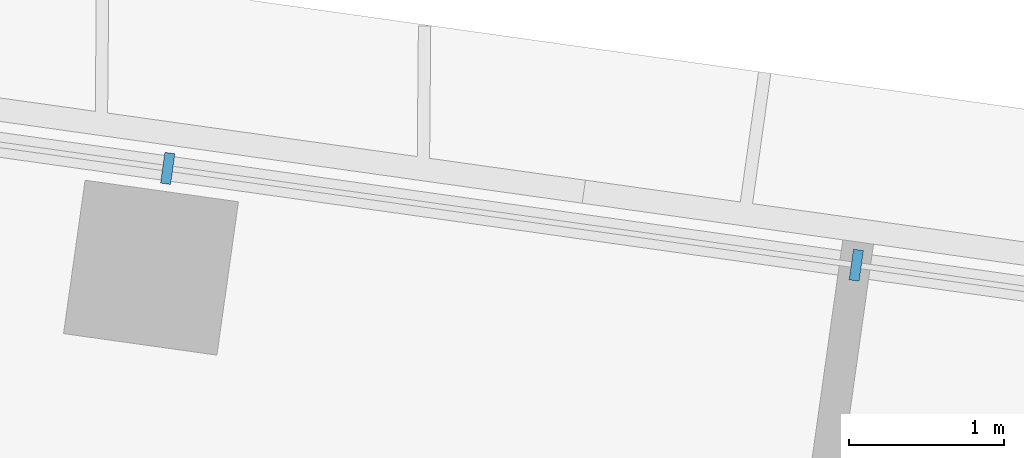
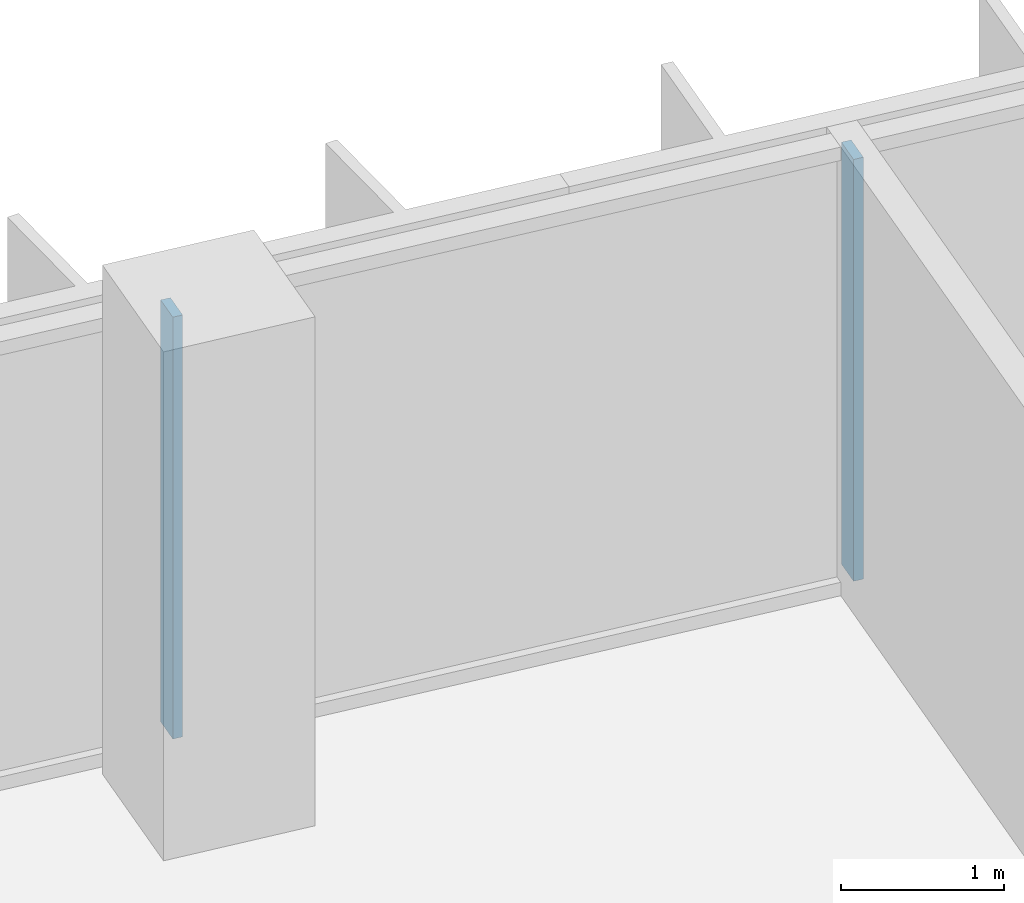
# One storey, part 3 of 24: 2 members, 1 element without a shape of its own.
"""IFC4 building model written with IfcOpenShell, lengths in metres."""

from ifc_helpers import new_model, si_unit, direction, frame, origin, origin_2d, place, context, subcontext, project, spatial, rectangle, extrude, material, material_profile, profile_set, type_object, element, aggregate, save


model = new_model("IFC4")

# Units and contexts
model_context = context("Model", 3, precision=1e-05, world=origin(), true_north=direction((0.0, 1.0)))
body_context = subcontext(model_context, "Body", "Model", "MODEL_VIEW")
ifc_project = project(units=[si_unit("LENGTHUNIT", "METRE"), si_unit("AREAUNIT", "SQUARE_METRE"), si_unit("VOLUMEUNIT", "CUBIC_METRE"), si_unit("PLANEANGLEUNIT", "RADIAN"), si_unit("MASSUNIT", "GRAM", prefix="KILO")], contexts=[model_context])

# Site, building, storey
site_placement = place(None, origin())
site = spatial("IfcSite", under=ifc_project, at=site_placement, CompositionType="ELEMENT")
building_placement = place(site_placement, origin())
building = spatial("IfcBuilding", under=site, at=building_placement, Name="Mirante Cascada Hotel Towers", CompositionType="ELEMENT")
storey_placement = place(building_placement, frame((0.0, 0.0, 77.5)))
storey = spatial("IfcBuildingStorey", under=building, at=storey_placement, Name="L16", CompositionType="ELEMENT", Elevation=77.5)

# Curtain wall, members
ifc_material_1 = material(Name="Aluminium mullion and transom frame with clear laminated glass", Category="aluminium")
curtain_wall_type = type_object("IfcCurtainWallType", Name="Ribbon curtain wall ECW1", PredefinedType="NOTDEFINED", material=ifc_material_1)
curtain_wall_placement = place(storey_placement, origin())
curtain_wall = element("IfcCurtainWall", 1, at=curtain_wall_placement, inside=storey, type_object=curtain_wall_type, Name="Front ribbon wall T1 L16", PredefinedType="NOTDEFINED")
ifc_material_2 = material(Name="Anodised aluminium extrusion", Category="aluminium")
ifc_material_profile = material_profile(ifc_material_2, rectangle(XDim=0.2, YDim=0.065, at=origin_2d()), Name="ECW1 MULLION 65x200")
ifc_profile_set = profile_set([ifc_material_profile], Name="Anodised aluminium extrusion")
member_type = type_object("IfcMemberType", Name="ECW1 mullion 65x200", PredefinedType="MULLION", material=ifc_profile_set)
member_1_placement = place(storey_placement, frame((-71.9211, 22.9269, 0.1), z_axis=(0.0, 0.0, 1.0), x_axis=(0.1391731, 0.9902681, 0.0)))
member_1 = element("IfcMember", 2, at=member_1_placement, type_object=member_type, Name="ECW1 mullion 6", PredefinedType="MULLION", context=body_context, shape_type="SweptSolid", body=[
    extrude(rectangle(XDim=0.2, YDim=0.065, at=origin_2d()), origin(), (0.0, 0.0, 1.0), 3.15),
])
member_2_placement = place(storey_placement, frame((-67.4737, 22.3018, 0.1), z_axis=(0.0, 0.0, 1.0), x_axis=(0.1391731, 0.9902681, 0.0)))
member_2 = element("IfcMember", 3, at=member_2_placement, type_object=member_type, Name="ECW1 mullion 7", PredefinedType="MULLION", context=body_context, shape_type="SweptSolid", body=[
    extrude(rectangle(XDim=0.2, YDim=0.065, at=origin_2d()), origin(), (0.0, 0.0, 1.0), 3.15),
])
aggregate(curtain_wall, [member_1, member_2])

save(model, "model.ifc")
